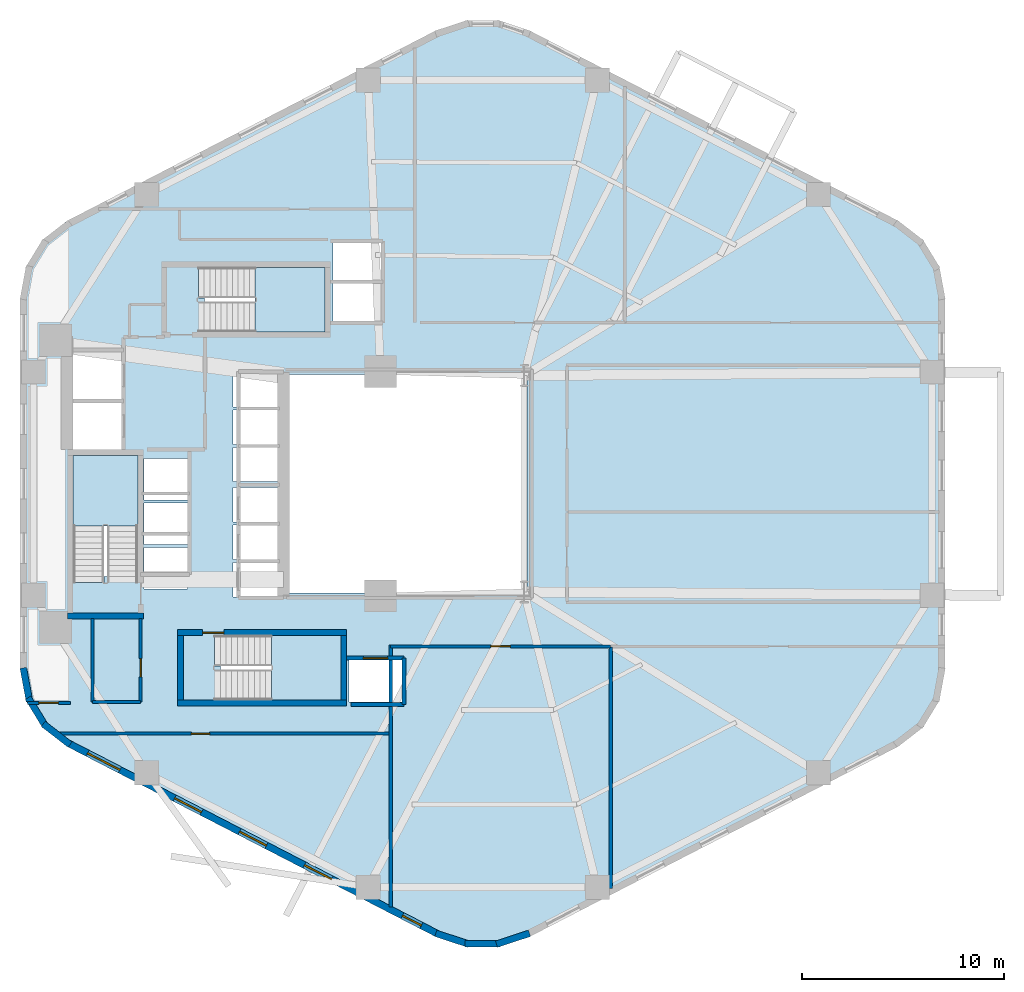
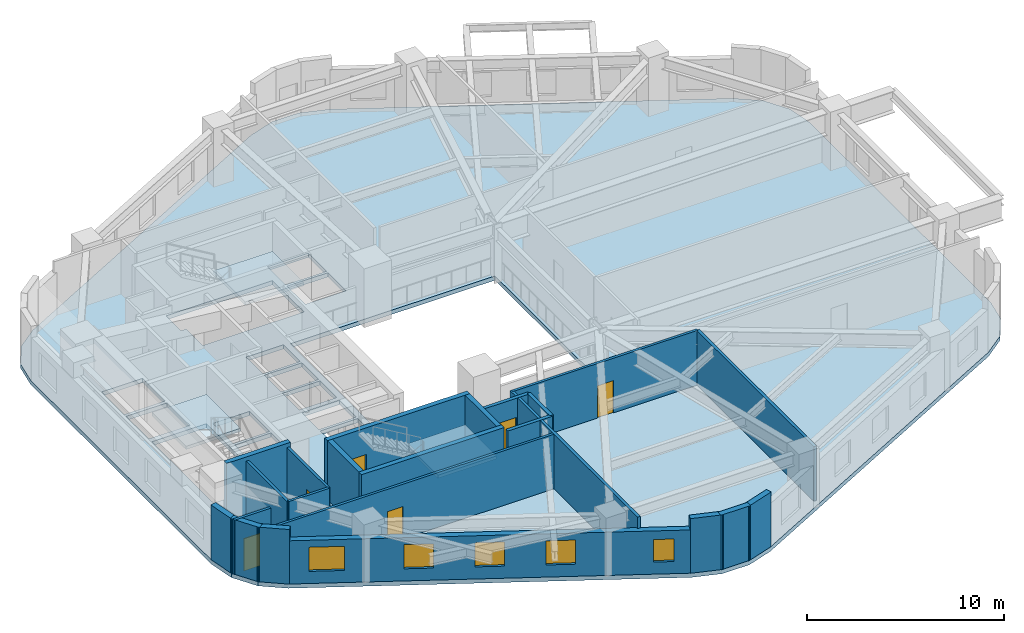
# One storey, part 2 of 6: 23 walls, 6 doors, 5 windows, 4 slabs, 11 openings, 3 elements without a shape of their own.
"""IFC4 building model written with IfcOpenShell, lengths in metres."""

from ifc_helpers import new_model, si_unit, direction, frame, frame_2d, origin, place, context, subcontext, project, spatial, polyline, rectangle, outline, extrude, material, layer, layer_set, type_object, element, fill, aggregate, save


model = new_model("IFC4")

# Units and contexts
model_context = context("Model", 3, precision=1e-05, world=origin(), true_north=direction((0.0, 1.0)))
body_context = subcontext(model_context, "Body", "Model", "MODEL_VIEW")
ifc_project = project(units=[si_unit("LENGTHUNIT", "METRE"), si_unit("AREAUNIT", "SQUARE_METRE"), si_unit("VOLUMEUNIT", "CUBIC_METRE"), si_unit("PLANEANGLEUNIT", "RADIAN"), si_unit("MASSUNIT", "GRAM", prefix="KILO"), si_unit("THERMODYNAMICTEMPERATUREUNIT", "KELVIN"), si_unit("POWERUNIT", "WATT")], contexts=[model_context])

# Site, building, storey
site_placement = place(None, origin())
site = spatial("IfcSite", under=ifc_project, at=site_placement, CompositionType="ELEMENT")
building_placement = place(site_placement, origin())
building = spatial("IfcBuilding", under=site, at=building_placement, Name="Skarre Station Tower", CompositionType="ELEMENT")
storey_placement = place(building_placement, frame((0.0, 0.0, 34.300048828125)))
storey = spatial("IfcBuildingStorey", under=building, at=storey_placement, Name="L08", CompositionType="ELEMENT", Elevation=34.300048828125)

# Stair, slab
ifc_material_1 = material(Name="Concrete C40/50", Category="concrete")
stair_type_1 = type_object("IfcStairType", Name="Reinforced Concrete Exit Stair ST-1", PredefinedType="HALF_TURN_STAIR", material=ifc_material_1)
stair_1_placement = place(storey_placement, origin())
stair_1 = element("IfcStair", 1, at=stair_1_placement, inside=storey, type_object=stair_type_1, Name="L08 Core Exit Stair ST-1", PredefinedType="HALF_TURN_STAIR")
ifc_layer_1 = layer(ifc_material_1, 0.219970703125, Name="Concrete C40/50")
ifc_layer_set_1 = layer_set([ifc_layer_1], Name="Concrete C40/50")
slab_type_1 = type_object("IfcSlabType", Name="Reinforced Concrete Stair & Ramp Landing 220", PredefinedType="LANDING", material=ifc_layer_set_1)
slab_1_placement = place(storey_placement, frame((0.0, 0.0, 1.625)))
slab_1 = element("IfcSlab", 2, at=slab_1_placement, type_object=slab_type_1, Name="ST-1 landing 1", PredefinedType="LANDING", context=body_context, shape_type="SweptSolid", body=[
    extrude(outline(polyline([(20.35009765625, 21.919921875), (20.35009765625, 25.39990234375), (17.14990234375, 25.39990234375), (17.14990234375, 21.919921875), (20.35009765625, 21.919921875)])), origin(), (0.0, 0.0, 1.0), 0.199951171875),
])
aggregate(stair_1, [slab_1])

stair_type_2 = type_object("IfcStairType", Name="Reinforced Concrete Exit Stair ST-2", PredefinedType="HALF_TURN_STAIR", material=ifc_material_1)
stair_2_placement = place(storey_placement, origin())
stair_2 = element("IfcStair", 3, at=stair_2_placement, inside=storey, type_object=stair_type_2, Name="L08 Core Exit Stair ST-2", PredefinedType="HALF_TURN_STAIR")
slab_2_placement = place(storey_placement, frame((0.0, 0.0, 1.625)))
slab_2 = element("IfcSlab", 4, at=slab_2_placement, type_object=slab_type_1, Name="ST-2 landing 1", PredefinedType="LANDING", context=body_context, shape_type="SweptSolid", body=[
    extrude(outline(polyline([(26.949951171875, 13.300048828125), (30.39990234375, 13.300048828125), (30.39990234375, 16.5), (26.949951171875, 16.5), (26.949951171875, 13.300048828125)])), origin(), (0.0, 0.0, 1.0), 0.199951171875),
])
aggregate(stair_2, [slab_2])

stair_type_3 = type_object("IfcStairType", Name="Reinforced Concrete Exit Stair ST-3", PredefinedType="HALF_TURN_STAIR", material=ifc_material_1)
stair_3_placement = place(storey_placement, origin())
stair_3 = element("IfcStair", 5, at=stair_3_placement, inside=storey, type_object=stair_type_3, Name="L08 Core Exit Stair ST-3", PredefinedType="HALF_TURN_STAIR")
slab_3_placement = place(storey_placement, frame((0.0, 0.0, 1.625)))
slab_3 = element("IfcSlab", 6, at=slab_3_placement, type_object=slab_type_1, Name="ST-3 landing 1", PredefinedType="LANDING", context=body_context, shape_type="SweptSolid", body=[
    extrude(outline(polyline([(26.14990234375, 31.5), (29.60009765625, 31.5), (29.60009765625, 34.699951171875), (26.14990234375, 34.699951171875), (26.14990234375, 31.5)])), origin(), (0.0, 0.0, 1.0), 0.199951171875),
])
aggregate(stair_3, [slab_3])

# Slab
ifc_material_2 = material(Name="Concrete C50/60", Category="concrete")
ifc_layer_2 = layer(ifc_material_2, 0.260009765625, Name="Concrete C50/60")
ifc_layer_set_2 = layer_set([ifc_layer_2], Name="Concrete C50/60")
slab_type_2 = type_object("IfcSlabType", Name="Tower Typical Composite Floor Slab 260", PredefinedType="FLOOR", material=ifc_layer_set_2)
slab_4_placement = place(storey_placement, frame((0.0, 0.0, -0.260009765625)))
element("IfcSlab", 7, at=slab_4_placement, inside=storey, type_object=slab_type_2, Name="L08 Zone 1 Structural Floor Slab", PredefinedType="FLOOR", context=body_context, shape_type="SweptSolid", body=[
    extrude(outline(polyline([(60.262939453125, 33.201904296875), (59.98193359375, 34.72412109375), (59.177001953125, 36.044921875), (57.9541015625, 36.991943359375), (39.708984375, 46.407958984375), (38.196044921875, 46.906005859375), (36.60400390625, 46.906005859375), (35.091064453125, 46.407958984375), (16.845947265625, 36.991943359375), (15.623046875, 36.044921875), (14.818115234375, 34.72412109375), (14.537109375, 33.201904296875), (14.537109375, 14.798095703125), (14.818115234375, 13.27587890625), (15.623046875, 11.955078125), (16.845947265625, 11.008056640625), (35.091064453125, 1.592041015625), (36.60400390625, 1.093994140625), (38.196044921875, 1.093994140625), (39.708984375, 1.592041015625), (57.9541015625, 11.008056640625), (59.177001953125, 11.955078125), (59.98193359375, 13.27587890625), (60.262939453125, 14.798095703125), (60.262939453125, 33.201904296875)]), holes=[polyline([(18.669921875, 19.419921875), (18.669921875, 19.123046875), (17.14990234375, 19.123046875), (17.14990234375, 25.39990234375), (20.35009765625, 25.39990234375), (20.35009765625, 19.419921875), (18.669921875, 19.419921875)]), polyline([(24.449951171875, 14.97998046875), (24.153076171875, 14.97998046875), (24.153076171875, 16.5), (30.39990234375, 16.5), (30.39990234375, 13.300048828125), (24.449951171875, 13.300048828125), (24.449951171875, 14.97998046875)]), polyline([(23.64990234375, 33.179931640625), (23.35302734375, 33.179931640625), (23.35302734375, 34.699951171875), (29.60009765625, 34.699951171875), (29.60009765625, 31.5), (23.64990234375, 31.5), (23.64990234375, 33.179931640625)]), polyline([(17.14990234375, 28.0), (19.550048828125, 28.0), (19.550048828125, 25.699951171875), (17.14990234375, 25.699951171875), (17.14990234375, 28.0)]), polyline([(17.14990234375, 30.5), (19.550048828125, 30.5), (19.550048828125, 28.199951171875), (17.14990234375, 28.199951171875), (17.14990234375, 30.5)]), polyline([(30.800048828125, 15.300048828125), (33.39990234375, 15.300048828125), (33.39990234375, 13.199951171875), (30.800048828125, 13.199951171875), (30.800048828125, 15.300048828125)]), polyline([(25.050048828125, 20.10009765625), (27.25, 20.10009765625), (27.25, 18.39990234375), (25.050048828125, 18.39990234375), (25.050048828125, 20.10009765625)]), polyline([(25.050048828125, 21.949951171875), (27.25, 21.949951171875), (27.25, 20.25), (25.050048828125, 20.25), (25.050048828125, 21.949951171875)]), polyline([(25.050048828125, 23.800048828125), (27.25, 23.800048828125), (27.25, 22.10009765625), (25.050048828125, 22.10009765625), (25.050048828125, 23.800048828125)]), polyline([(25.050048828125, 25.800048828125), (27.25, 25.800048828125), (27.25, 24.10009765625), (25.050048828125, 24.10009765625), (25.050048828125, 25.800048828125)]), polyline([(25.050048828125, 27.64990234375), (27.25, 27.64990234375), (27.25, 25.949951171875), (25.050048828125, 25.949951171875), (25.050048828125, 27.64990234375)]), polyline([(25.050048828125, 29.5), (27.25, 29.5), (27.25, 27.800048828125), (25.050048828125, 27.800048828125), (25.050048828125, 29.5)]), polyline([(20.64990234375, 20.85009765625), (22.800048828125, 20.85009765625), (22.800048828125, 18.800048828125), (20.64990234375, 18.800048828125), (20.64990234375, 20.85009765625)]), polyline([(20.64990234375, 23.050048828125), (22.800048828125, 23.050048828125), (22.800048828125, 21.0), (20.64990234375, 21.0), (20.64990234375, 23.050048828125)]), polyline([(20.64990234375, 25.25), (22.800048828125, 25.25), (22.800048828125, 23.199951171875), (20.64990234375, 23.199951171875), (20.64990234375, 25.25)]), polyline([(30.0, 33.89990234375), (32.39990234375, 33.89990234375), (32.39990234375, 32.050048828125), (30.0, 32.050048828125), (30.0, 33.89990234375)]), polyline([(30.0, 35.89990234375), (32.39990234375, 35.89990234375), (32.39990234375, 34.050048828125), (30.0, 34.050048828125), (30.0, 35.89990234375)]), polyline([(27.60009765625, 29.39990234375), (39.60009765625, 29.39990234375), (39.60009765625, 18.60009765625), (27.60009765625, 18.60009765625), (27.60009765625, 29.39990234375)])]), origin(), (0.0, 0.0, 1.0), 0.260009765625),
])

# Walls
ifc_material_3 = material(Name="Acoustic Steel-Stud Gypsum Partition", Category="steel")
ifc_layer_3 = layer(ifc_material_3, 0.14990234375, Name="Acoustic Steel-Stud Gypsum Partition")
ifc_layer_set_3 = layer_set([ifc_layer_3], Name="Acoustic Steel-Stud Gypsum Partition")
wall_type_1 = type_object("IfcWallType", Name="Fire-Rated Corridor Acoustic Partition 150", PredefinedType="PARTITIONING", material=ifc_layer_set_3)
wall_1_placement = place(storey_placement, frame((18.10009765625, 17.340087890625, 0.0), z_axis=(0.0, 0.0, 1.0), x_axis=(0.0, -1.0, 0.0)))
element("IfcWall", 8, at=wall_1_placement, inside=storey, type_object=wall_type_1, Name="L08 Interior Partition WL-PT-L08-CSVC-W", PredefinedType="PARTITIONING", context=body_context, shape_type="SweptSolid", body=[
    extrude(rectangle(XDim=4.14013671875, YDim=0.14990234375, at=frame_2d((2.070068359375, 0.0))), origin(), (0.0, 0.0, 1.0), 3.389892578125),
])
wall_2_placement = place(storey_placement, frame((18.10009765625, 13.199951171875, 0.0), z_axis=(0.0, 0.0, 1.0), x_axis=(1.0, 0.0, 0.0)))
element("IfcWall", 9, at=wall_2_placement, inside=storey, type_object=wall_type_1, Name="L08 Interior Partition WL-PT-L08-CSVC-S", PredefinedType="PARTITIONING", context=body_context, shape_type="SweptSolid", body=[
    extrude(rectangle(XDim=2.389892578125, YDim=0.14990234375, at=frame_2d((1.19482421875, 0.0))), origin(), (0.0, 0.0, 1.0), 3.389892578125),
])

# Wall, opening, door
wall_3_placement = place(storey_placement, frame((20.489990234375, 13.199951171875, 0.0), z_axis=(0.0, 0.0, 1.0), x_axis=(0.0, 1.0, 0.0)))
wall_3 = element("IfcWall", 10, at=wall_3_placement, inside=storey, type_object=wall_type_1, Name="L08 Interior Partition WL-PT-L08-CSVC-E", PredefinedType="PARTITIONING", context=body_context, shape_type="SweptSolid", body=[
    extrude(rectangle(XDim=4.14013671875, YDim=0.14990234375, at=frame_2d((2.070068359375, 0.0))), origin(), (0.0, 0.0, 1.0), 3.389892578125),
])
opening_1_placement = place(wall_3_placement, frame((1.25, 0.0, 0.0)))
opening_1 = element("IfcOpeningElement", 11, at=opening_1_placement, cuts=wall_3, Name="Opening DR-SVC90", PredefinedType="OPENING", context=body_context, shape_type="SweptSolid", body=[
    extrude(rectangle(XDim=0.89990234375, YDim=2.0, at=frame_2d((0.449951171875, 1.0))), frame((0.0, 0.0849609375, 0.0), z_axis=(0.0, -1.0, 0.0), x_axis=(1.0, 0.0, 0.0)), (0.0, 0.0, 1.0), 0.169921875),
])
ifc_material_4 = material(Name="Powder-Coated Hollow-Metal Acoustic Fire Leaf", Category="steel")
door_type_1 = type_object("IfcDoorType", Name="Service & Riser Fire Door FD60 900x2100", OperationType="SINGLE_SWING_LEFT", PredefinedType="DOOR", material=ifc_material_4)
door_1_placement = place(opening_1_placement, origin())
door_1 = element("IfcDoor", 12, at=door_1_placement, inside=storey, type_object=door_type_1, Name="L08 Core Pantry Door", OperationType="SINGLE_SWING_LEFT", OverallHeight=2.0, OverallWidth=0.89990234375, PredefinedType="DOOR", context=body_context, shape_type="SweptSolid", body=[
    extrude(rectangle(XDim=0.89990234375, YDim=2.0, at=frame_2d((0.449951171875, 1.0))), frame((0.0, 0.02490234375, 0.0), z_axis=(0.0, -1.0, 0.0), x_axis=(1.0, 0.0, 0.0)), (0.0, 0.0, 1.0), 0.050048828125),
])
fill(opening_1, door_1)

wall_4_placement = place(storey_placement, frame((16.487060546875, 11.639892578125, 0.0), z_axis=(0.0, 0.0, 1.0), x_axis=(1.0, 0.0, 0.0)))
wall_4 = element("IfcWall", 13, at=wall_4_placement, inside=storey, type_object=wall_type_1, Name="L08 Interior Partition WL-PT-L08-SWP-N", PredefinedType="PARTITIONING", context=body_context, shape_type="SweptSolid", body=[
    extrude(rectangle(XDim=16.363037109375, YDim=0.14990234375, at=frame_2d((8.181640625, 0.0))), origin(), (0.0, 0.0, 1.0), 3.389892578125),
])
opening_2_placement = place(wall_4_placement, frame((6.512939453125, 0.0, 0.0)))
opening_2 = element("IfcOpeningElement", 14, at=opening_2_placement, cuts=wall_4, Name="Opening DR-SVC90", PredefinedType="OPENING", context=body_context, shape_type="SweptSolid", body=[
    extrude(rectangle(XDim=0.89990234375, YDim=2.0, at=frame_2d((0.449951171875, 1.0))), frame((0.0, 0.0849609375, 0.0), z_axis=(0.0, -1.0, 0.0), x_axis=(1.0, 0.0, 0.0)), (0.0, 0.0, 1.0), 0.169921875),
])
door_2_placement = place(opening_2_placement, origin())
door_2 = element("IfcDoor", 15, at=door_2_placement, inside=storey, type_object=door_type_1, Name="L08 Floor Public Toilets Door", OperationType="SINGLE_SWING_LEFT", OverallHeight=2.0, OverallWidth=0.89990234375, PredefinedType="DOOR", context=body_context, shape_type="SweptSolid", body=[
    extrude(rectangle(XDim=0.89990234375, YDim=2.0, at=frame_2d((0.449951171875, 1.0))), frame((0.0, 0.02490234375, 0.0), z_axis=(0.0, -1.0, 0.0), x_axis=(1.0, 0.0, 0.0)), (0.0, 0.0, 1.0), 0.050048828125),
])
fill(opening_2, door_2)

wall_5_placement = place(storey_placement, frame((17.02001953125, 13.159912109375, 0.0), z_axis=(0.0, 0.0, 1.0), x_axis=(-1.0, 0.0, 0.0)))
wall_5 = element("IfcWall", 16, at=wall_5_placement, inside=storey, type_object=wall_type_1, Name="L08 Interior Partition WL-PT-L08-WW1-CW", PredefinedType="PARTITIONING", context=body_context, shape_type="SweptSolid", body=[
    extrude(rectangle(XDim=2.1201171875, YDim=0.14990234375, at=frame_2d((1.06005859375, 0.0))), origin(), (0.0, 0.0, 1.0), 3.389892578125),
])
opening_3_placement = place(wall_5_placement, frame((0.596923828125, 0.0, 0.0)))
opening_3 = element("IfcOpeningElement", 17, at=opening_3_placement, cuts=wall_5, Name="Opening DR-FD60", PredefinedType="OPENING", context=body_context, shape_type="SweptSolid", body=[
    extrude(rectangle(XDim=0.9599609375, YDim=2.0, at=frame_2d((0.47998046875, 1.0))), frame((0.0, 0.0849609375, 0.0), z_axis=(0.0, -1.0, 0.0), x_axis=(1.0, 0.0, 0.0)), (0.0, 0.0, 1.0), 0.169921875),
])
ifc_material_5 = material(Name="Nordic White-Oak Veneer Solid-Core Fire Leaf", Category="wood")
door_type_2 = type_object("IfcDoorType", Name="Corridor Suite Entry Fire Door FD60 960x2150", OperationType="SINGLE_SWING_LEFT", PredefinedType="DOOR", material=ifc_material_5)
door_3_placement = place(opening_3_placement, origin())
door_3 = element("IfcDoor", 18, at=door_3_placement, inside=storey, type_object=door_type_2, Name="L08 WW1 Entry Door", OperationType="SINGLE_SWING_LEFT", OverallHeight=2.0, OverallWidth=0.9599609375, PredefinedType="DOOR", context=body_context, shape_type="SweptSolid", body=[
    extrude(rectangle(XDim=0.9599609375, YDim=2.0, at=frame_2d((0.47998046875, 1.0))), frame((0.0, 0.02490234375, 0.0), z_axis=(0.0, -1.0, 0.0), x_axis=(1.0, 0.0, 0.0)), (0.0, 0.0, 1.0), 0.050048828125),
])
fill(opening_3, door_3)

wall_6_placement = place(storey_placement, frame((32.85009765625, 15.9599609375, 0.0), z_axis=(0.0, 0.0, 1.0), x_axis=(1.0, 0.0, 0.0)))
wall_6 = element("IfcWall", 19, at=wall_6_placement, inside=storey, type_object=wall_type_1, Name="L08 Interior Partition WL-PT-L08-SW1-CW", PredefinedType="PARTITIONING", context=body_context, shape_type="SweptSolid", body=[
    extrude(rectangle(XDim=10.868896484375, YDim=0.14990234375, at=frame_2d((5.4345703125, 0.0))), origin(), (0.0, 0.0, 1.0), 3.389892578125),
])
opening_4_placement = place(wall_6_placement, frame((4.955078125, 0.0, 0.0)))
opening_4 = element("IfcOpeningElement", 20, at=opening_4_placement, cuts=wall_6, Name="Opening DR-FD60", PredefinedType="OPENING", context=body_context, shape_type="SweptSolid", body=[
    extrude(rectangle(XDim=0.9599609375, YDim=2.0, at=frame_2d((0.47998046875, 1.0))), frame((0.0, 0.0849609375, 0.0), z_axis=(0.0, -1.0, 0.0), x_axis=(1.0, 0.0, 0.0)), (0.0, 0.0, 1.0), 0.169921875),
])
door_4_placement = place(opening_4_placement, origin())
door_4 = element("IfcDoor", 21, at=door_4_placement, inside=storey, type_object=door_type_2, Name="L08 SW1 Entry Door", OperationType="SINGLE_SWING_LEFT", OverallHeight=2.0, OverallWidth=0.9599609375, PredefinedType="DOOR", context=body_context, shape_type="SweptSolid", body=[
    extrude(rectangle(XDim=0.9599609375, YDim=2.0, at=frame_2d((0.47998046875, 1.0))), frame((0.0, 0.02490234375, 0.0), z_axis=(0.0, -1.0, 0.0), x_axis=(1.0, 0.0, 0.0)), (0.0, 0.0, 1.0), 0.050048828125),
])
fill(opening_4, door_4)

# Wall, openings, windows
ifc_material_6 = material(Name="Precast concrete C45/55", Category="concrete")
ifc_layer_4 = layer(ifc_material_6, 0.340087890625, Name="Precast concrete C45/55")
ifc_layer_set_4 = layer_set([ifc_layer_4], Name="Precast concrete C45/55")
wall_type_2 = type_object("IfcWallType", Name="Nordic Honed Precast Facet Wall 340", PredefinedType="STANDARD", material=ifc_layer_set_4)
wall_7_placement = place(storey_placement, frame((35.1689453125, 1.742919921875, 0.0), z_axis=(0.0, 0.0, 1.0), x_axis=(-0.888634413993, 0.458616264721, 0.0)))
wall_7 = element("IfcWall", 22, at=wall_7_placement, inside=storey, type_object=wall_type_2, Name="L08 Facet 3 Nordic Precast Masonry Wall", PredefinedType="STANDARD", context=body_context, shape_type="SweptSolid", body=[
    extrude(rectangle(XDim=20.53125, YDim=0.340087890625, at=frame_2d((10.265625, 0.0))), origin(), (0.0, 0.0, 1.0), 2.683837890625),
])
opening_5_placement = place(wall_7_placement, frame((0.902099609375, 0.0, 0.75)))
opening_5 = element("IfcOpeningElement", 23, at=opening_5_placement, cuts=wall_7, Name="Opening WN-SLT", PredefinedType="OPENING", context=body_context, shape_type="SweptSolid", body=[
    extrude(rectangle(XDim=1.050048828125, YDim=1.39990234375, at=frame_2d((0.52490234375, 0.699951171875))), frame((0.0, 0.179931640625, 0.0), z_axis=(0.0, -1.0, 0.0), x_axis=(1.0, 0.0, 0.0)), (0.0, 0.0, 1.0), 0.360107421875),
])
opening_6_placement = place(wall_7_placement, frame((5.903076171875, 0.0, 0.75)))
opening_6 = element("IfcOpeningElement", 24, at=opening_6_placement, cuts=wall_7, Name="Opening WN-Z1B", PredefinedType="OPENING", context=body_context, shape_type="SweptSolid", body=[
    extrude(rectangle(XDim=1.5, YDim=1.5, at=frame_2d((0.75, 0.75))), frame((0.0, 0.179931640625, 0.0), z_axis=(0.0, -1.0, 0.0), x_axis=(1.0, 0.0, 0.0)), (0.0, 0.0, 1.0), 0.360107421875),
])
opening_7_placement = place(wall_7_placement, frame((9.51611328125, 0.0, 0.75)))
opening_7 = element("IfcOpeningElement", 25, at=opening_7_placement, cuts=wall_7, Name="Opening WN-Z1B", PredefinedType="OPENING", context=body_context, shape_type="SweptSolid", body=[
    extrude(rectangle(XDim=1.5, YDim=1.5, at=frame_2d((0.75, 0.75))), frame((0.0, 0.179931640625, 0.0), z_axis=(0.0, -1.0, 0.0), x_axis=(1.0, 0.0, 0.0)), (0.0, 0.0, 1.0), 0.360107421875),
])
opening_8_placement = place(wall_7_placement, frame((13.12890625, 0.0, 0.75)))
opening_8 = element("IfcOpeningElement", 26, at=opening_8_placement, cuts=wall_7, Name="Opening WN-Z1B", PredefinedType="OPENING", context=body_context, shape_type="SweptSolid", body=[
    extrude(rectangle(XDim=1.5, YDim=1.5, at=frame_2d((0.75, 0.75))), frame((0.0, 0.179931640625, 0.0), z_axis=(0.0, -1.0, 0.0), x_axis=(1.0, 0.0, 0.0)), (0.0, 0.0, 1.0), 0.360107421875),
])
opening_9_placement = place(wall_7_placement, frame((17.673095703125, 0.0, 0.75)))
opening_9 = element("IfcOpeningElement", 27, at=opening_9_placement, cuts=wall_7, Name="Opening WN-Z1A", PredefinedType="OPENING", context=body_context, shape_type="SweptSolid", body=[
    extrude(rectangle(XDim=1.800048828125, YDim=1.5, at=frame_2d((0.89990234375, 0.75))), frame((0.0, 0.179931640625, 0.0), z_axis=(0.0, -1.0, 0.0), x_axis=(1.0, 0.0, 0.0)), (0.0, 0.0, 1.0), 0.360107421875),
])
ifc_material_7 = material(Name="Low-Iron Triple Glazing with Bronze Anodized Frame", Category="glass")
window_type_1 = type_object("IfcWindowType", Name="Nordic Corner Slot Window 1050x1400", PartitioningType="SINGLE_PANEL", PredefinedType="WINDOW", material=ifc_material_7)
window_1_placement = place(opening_5_placement, origin())
window_1 = element("IfcWindow", 28, at=window_1_placement, inside=storey, type_object=window_type_1, Name="L08 Facade Window WL-FAC-L08-F3-1", OverallHeight=1.39990234375, OverallWidth=1.050048828125, PartitioningType="SINGLE_PANEL", PredefinedType="WINDOW", context=body_context, shape_type="SweptSolid", body=[
    extrude(rectangle(XDim=1.050048828125, YDim=1.39990234375, at=frame_2d((0.52490234375, 0.699951171875))), frame((0.0, 0.030029296875, 0.0), z_axis=(0.0, -1.0, 0.0), x_axis=(1.0, 0.0, 0.0)), (0.0, 0.0, 1.0), 0.06005859375),
])
fill(opening_5, window_1)
window_type_2 = type_object("IfcWindowType", Name="Nordic Punched Triple-Glazed Window 1500x1500", PartitioningType="SINGLE_PANEL", PredefinedType="WINDOW", material=ifc_material_7)
window_2_placement = place(opening_6_placement, origin())
window_2 = element("IfcWindow", 29, at=window_2_placement, inside=storey, type_object=window_type_2, Name="L08 Facade Window WL-FAC-L08-F3-2", OverallHeight=1.5, OverallWidth=1.5, PartitioningType="SINGLE_PANEL", PredefinedType="WINDOW", context=body_context, shape_type="SweptSolid", body=[
    extrude(rectangle(XDim=1.5, YDim=1.5, at=frame_2d((0.75, 0.75))), frame((0.0, 0.030029296875, 0.0), z_axis=(0.0, -1.0, 0.0), x_axis=(1.0, 0.0, 0.0)), (0.0, 0.0, 1.0), 0.06005859375),
])
fill(opening_6, window_2)
window_3_placement = place(opening_7_placement, origin())
window_3 = element("IfcWindow", 30, at=window_3_placement, inside=storey, type_object=window_type_2, Name="L08 Facade Window WL-FAC-L08-F3-3", OverallHeight=1.5, OverallWidth=1.5, PartitioningType="SINGLE_PANEL", PredefinedType="WINDOW", context=body_context, shape_type="SweptSolid", body=[
    extrude(rectangle(XDim=1.5, YDim=1.5, at=frame_2d((0.75, 0.75))), frame((0.0, 0.030029296875, 0.0), z_axis=(0.0, -1.0, 0.0), x_axis=(1.0, 0.0, 0.0)), (0.0, 0.0, 1.0), 0.06005859375),
])
fill(opening_7, window_3)
window_4_placement = place(opening_8_placement, origin())
window_4 = element("IfcWindow", 31, at=window_4_placement, inside=storey, type_object=window_type_2, Name="L08 Facade Window WL-FAC-L08-F3-4", OverallHeight=1.5, OverallWidth=1.5, PartitioningType="SINGLE_PANEL", PredefinedType="WINDOW", context=body_context, shape_type="SweptSolid", body=[
    extrude(rectangle(XDim=1.5, YDim=1.5, at=frame_2d((0.75, 0.75))), frame((0.0, 0.030029296875, 0.0), z_axis=(0.0, -1.0, 0.0), x_axis=(1.0, 0.0, 0.0)), (0.0, 0.0, 1.0), 0.06005859375),
])
fill(opening_8, window_4)
window_type_3 = type_object("IfcWindowType", Name="Nordic Punched Triple-Glazed Window 1800x1500", PartitioningType="SINGLE_PANEL", PredefinedType="WINDOW", material=ifc_material_7)
window_5_placement = place(opening_9_placement, origin())
window_5 = element("IfcWindow", 32, at=window_5_placement, inside=storey, type_object=window_type_3, Name="L08 Facade Window WL-FAC-L08-F3-5", OverallHeight=1.5, OverallWidth=1.800048828125, PartitioningType="SINGLE_PANEL", PredefinedType="WINDOW", context=body_context, shape_type="SweptSolid", body=[
    extrude(rectangle(XDim=1.800048828125, YDim=1.5, at=frame_2d((0.89990234375, 0.75))), frame((0.0, 0.030029296875, 0.0), z_axis=(0.0, -1.0, 0.0), x_axis=(1.0, 0.0, 0.0)), (0.0, 0.0, 1.0), 0.06005859375),
])
fill(opening_9, window_5)

# Walls
ifc_layer_5 = layer(ifc_material_6, 0.330078125, Name="Precast concrete C45/55")
ifc_layer_set_5 = layer_set([ifc_layer_5], Name="Precast concrete C45/55")
wall_type_3 = type_object("IfcWallType", Name="Nordic Rounded Corner Precast Wall 330", PredefinedType="STANDARD", material=ifc_layer_set_5)
wall_8_placement = place(storey_placement, frame((16.998046875, 11.09912109375, 0.0), z_axis=(0.0, 0.0, 1.0), x_axis=(-0.790691856293, 0.61221433207, 0.0)))
element("IfcWall", 33, at=wall_8_placement, inside=storey, type_object=wall_type_3, Name="L08 Rounded Corner Precast Wall F3-1", PredefinedType="STANDARD", context=body_context, shape_type="SweptSolid", body=[
    extrude(rectangle(XDim=1.67578125, YDim=0.330078125, at=frame_2d((0.837890625, 0.0))), origin(), (0.0, 0.0, 1.0), 3.389892578125),
])
wall_9_placement = place(storey_placement, frame((15.798095703125, 11.985107421875, 0.0), z_axis=(0.0, 0.0, 1.0), x_axis=(-0.520584129191, 0.853810379671, 0.0)))
element("IfcWall", 34, at=wall_9_placement, inside=storey, type_object=wall_type_3, Name="L08 Rounded Corner Precast Wall F3-2", PredefinedType="STANDARD", context=body_context, shape_type="SweptSolid", body=[
    extrude(rectangle(XDim=1.677001953125, YDim=0.330078125, at=frame_2d((0.83837890625, 0.0))), origin(), (0.0, 0.0, 1.0), 3.389892578125),
])
wall_10_placement = place(storey_placement, frame((14.991943359375, 13.241943359375, 0.0), z_axis=(0.0, 0.0, 1.0), x_axis=(-0.181714143354, 0.983351397063, 0.0)))
element("IfcWall", 35, at=wall_10_placement, inside=storey, type_object=wall_type_3, Name="L08 Rounded Corner Precast Wall F3-3", PredefinedType="STANDARD", context=body_context, shape_type="SweptSolid", body=[
    extrude(rectangle(XDim=1.677978515625, YDim=0.330078125, at=frame_2d((0.8388671875, 0.0))), origin(), (0.0, 0.0, 1.0), 3.389892578125),
])
wall_11_placement = place(storey_placement, frame((39.718994140625, 1.76904296875, 0.0), z_axis=(0.0, 0.0, 1.0), x_axis=(-0.94976901097, -0.312951794691, 0.0)))
element("IfcWall", 36, at=wall_11_placement, inside=storey, type_object=wall_type_3, Name="L08 Rounded Corner Precast Wall F4-1", PredefinedType="STANDARD", context=body_context, shape_type="SweptSolid", body=[
    extrude(rectangle(XDim=1.722412109375, YDim=0.330078125, at=frame_2d((0.861328125, 0.0))), origin(), (0.0, 0.0, 1.0), 3.389892578125),
])
wall_12_placement = place(storey_placement, frame((38.260986328125, 1.259033203125, 0.0), z_axis=(0.0, 0.0, 1.0), x_axis=(-1.0, 0.0, 0.0)))
element("IfcWall", 37, at=wall_12_placement, inside=storey, type_object=wall_type_3, Name="L08 Rounded Corner Precast Wall F4-2", PredefinedType="STANDARD", context=body_context, shape_type="SweptSolid", body=[
    extrude(rectangle(XDim=1.721923828125, YDim=0.330078125, at=frame_2d((0.86083984375, 0.0))), origin(), (0.0, 0.0, 1.0), 3.389892578125),
])
wall_13_placement = place(storey_placement, frame((36.717041015625, 1.22998046875, 0.0), z_axis=(0.0, 0.0, 1.0), x_axis=(-0.94976901097, 0.312951794691, 0.0)))
element("IfcWall", 38, at=wall_13_placement, inside=storey, type_object=wall_type_3, Name="L08 Rounded Corner Precast Wall F4-3", PredefinedType="STANDARD", context=body_context, shape_type="SweptSolid", body=[
    extrude(rectangle(XDim=1.722412109375, YDim=0.330078125, at=frame_2d((0.861328125, 0.0))), origin(), (0.0, 0.0, 1.0), 3.389892578125),
])
ifc_layer_6 = layer(ifc_material_2, 0.280029296875, Name="Concrete C50/60")
ifc_layer_set_6 = layer_set([ifc_layer_6], Name="Concrete C50/60")
wall_type_4 = type_object("IfcWallType", Name="RC Core Shear Wall 280", PredefinedType="SHEAR", material=ifc_layer_set_6)
wall_14_placement = place(storey_placement, frame((16.8701171875, 17.4599609375, 0.0), z_axis=(0.0, 0.0, 1.0), x_axis=(1.0, 0.0, 0.0)))
element("IfcWall", 39, at=wall_14_placement, inside=storey, type_object=wall_type_4, Name="L08 Stair ST-1 South Shear Wall", PredefinedType="SHEAR", context=body_context, shape_type="SweptSolid", body=[
    extrude(rectangle(XDim=3.759765625, YDim=0.280029296875, at=frame_2d((1.8798828125, 0.0))), origin(), (0.0, 0.0, 1.0), 3.64990234375),
])
wall_15_placement = place(storey_placement, frame((22.320068359375, 13.159912109375, 0.0), z_axis=(0.0, 0.0, 1.0), x_axis=(1.0, 0.0, 0.0)))
element("IfcWall", 40, at=wall_15_placement, inside=storey, type_object=wall_type_4, Name="L08 Stair ST-2 South Shear Wall", PredefinedType="SHEAR", context=body_context, shape_type="SweptSolid", body=[
    extrude(rectangle(XDim=8.35986328125, YDim=0.280029296875, at=frame_2d((4.179931640625, 0.0))), origin(), (0.0, 0.0, 1.0), 3.64990234375),
])

# Wall, opening, door
wall_16_placement = place(storey_placement, frame((30.679931640625, 16.639892578125, 0.0), z_axis=(0.0, 0.0, 1.0), x_axis=(-1.0, 0.0, 0.0)))
wall_16 = element("IfcWall", 41, at=wall_16_placement, inside=storey, type_object=wall_type_4, Name="L08 Stair ST-2 North Shear Wall", PredefinedType="SHEAR", context=body_context, shape_type="SweptSolid", body=[
    extrude(rectangle(XDim=8.35986328125, YDim=0.280029296875, at=frame_2d((4.179931640625, 0.0))), origin(), (0.0, 0.0, 1.0), 3.64990234375),
])
opening_10_placement = place(wall_16_placement, frame((6.080078125, 0.0, 0.0)))
opening_10 = element("IfcOpeningElement", 42, at=opening_10_placement, cuts=wall_16, Name="Opening DR-FD90", PredefinedType="OPENING", context=body_context, shape_type="SweptSolid", body=[
    extrude(rectangle(XDim=1.050048828125, YDim=2.0, at=frame_2d((0.52490234375, 1.0))), frame((0.0, 0.14990234375, 0.0), z_axis=(0.0, -1.0, 0.0), x_axis=(1.0, 0.0, 0.0)), (0.0, 0.0, 1.0), 0.300048828125),
])
ifc_material_8 = material(Name="Fire-Rated Insulated Steel Frame & Timber Core Leaf", Category="steel")
door_type_3 = type_object("IfcDoorType", Name="Stair & FSAE Lobby Fire Door FD90 1050x2150", OperationType="SINGLE_SWING_RIGHT", PredefinedType="DOOR", material=ifc_material_8)
door_5_placement = place(opening_10_placement, origin())
door_5 = element("IfcDoor", 43, at=door_5_placement, inside=storey, type_object=door_type_3, Name="L08 Stair ST-2 Exit Door", OperationType="SINGLE_SWING_RIGHT", OverallHeight=2.0, OverallWidth=1.050048828125, PredefinedType="DOOR", context=body_context, shape_type="SweptSolid", body=[
    extrude(rectangle(XDim=1.050048828125, YDim=2.0, at=frame_2d((0.52490234375, 1.0))), frame((0.0, 0.02490234375, 0.0), z_axis=(0.0, -1.0, 0.0), x_axis=(1.0, 0.0, 0.0)), (0.0, 0.0, 1.0), 0.050048828125),
])
fill(opening_10, door_5)

# Walls
for number, where, z_axis, x_axis, name in (
    (44, (22.4599609375, 16.5, 0.0), (0.0, 0.0, 1.0), (0.0, -1.0, 0.0), "L08 Stair ST-2 West Shear Wall"),
    (45, (30.5400390625, 13.300048828125, 0.0), (0.0, 0.0, 1.0), (0.0, 1.0, 0.0), "L08 Stair ST-2 East Shear Wall"),
):
    element("IfcWall", number, at=place(storey_placement, frame(where, z_axis=z_axis, x_axis=x_axis)), inside=storey, type_object=wall_type_4, Name=name, PredefinedType="SHEAR", context=body_context, shape_type="SweptSolid", body=[
        extrude(rectangle(XDim=3.199951171875, YDim=0.280029296875, at=frame_2d((1.60009765625, 0.0))), origin(), (0.0, 0.0, 1.0), 3.64990234375),
    ])

# Wall, opening, door
ifc_material_9 = material(Name="Gypsum Concrete Shaft Assembly C30/37", Category="concrete")
ifc_layer_7 = layer(ifc_material_9, 0.199951171875, Name="Gypsum Concrete Shaft Assembly C30/37")
ifc_layer_set_7 = layer_set([ifc_layer_7], Name="Gypsum Concrete Shaft Assembly C30/37")
wall_type_5 = type_object("IfcWallType", Name="Shaft & Core Fire Partition 200", PredefinedType="PARTITIONING", material=ifc_layer_set_7)
wall_17_placement = place(storey_placement, frame((33.5, 15.3798828125, 0.0), z_axis=(0.0, 0.0, 1.0), x_axis=(-1.0, 0.0, 0.0)))
wall_17 = element("IfcWall", 46, at=wall_17_placement, inside=storey, type_object=wall_type_5, Name="L08 Interior Partition WL-PT-L08-SV1-N", PredefinedType="PARTITIONING", context=body_context, shape_type="SweptSolid", body=[
    extrude(rectangle(XDim=2.820068359375, YDim=0.199951171875, at=frame_2d((1.41015625, 0.0))), origin(), (0.0, 0.0, 1.0), 3.389892578125),
])
opening_11_placement = place(wall_17_placement, frame((0.800048828125, 0.0, 0.0)))
opening_11 = element("IfcOpeningElement", 47, at=opening_11_placement, cuts=wall_17, Name="Opening LD-SV1", PredefinedType="OPENING", context=body_context, shape_type="SweptSolid", body=[
    extrude(rectangle(XDim=1.199951171875, YDim=2.199951171875, at=frame_2d((0.60009765625, 1.10009765625))), frame((0.0, 0.10986328125, 0.0), z_axis=(0.0, -1.0, 0.0), x_axis=(1.0, 0.0, 0.0)), (0.0, 0.0, 1.0), 0.219970703125),
])
ifc_material_10 = material(Name="Heavy-Gauge Brushed Stainless Steel Sliding Leaves", Category="steel")
door_type_4 = type_object("IfcDoorType", Name="Service Elevator Wide Sliding Landing Door 1200x2200", OperationType="SLIDING_TO_RIGHT", PredefinedType="DOOR", material=ifc_material_10)
door_6_placement = place(opening_11_placement, origin())
door_6 = element("IfcDoor", 48, at=door_6_placement, inside=storey, type_object=door_type_4, Name="L08 Service Lift LF-SV1 Landing Door", OperationType="SLIDING_TO_RIGHT", OverallHeight=2.199951171875, OverallWidth=1.199951171875, PredefinedType="DOOR", context=body_context, shape_type="SweptSolid", body=[
    extrude(rectangle(XDim=1.199951171875, YDim=2.199951171875, at=frame_2d((0.60009765625, 1.10009765625))), frame((0.0, 0.02490234375, 0.0), z_axis=(0.0, -1.0, 0.0), x_axis=(1.0, 0.0, 0.0)), (0.0, 0.0, 1.0), 0.050048828125),
])
fill(opening_11, door_6)

# Walls
wall_18_placement = place(storey_placement, frame((33.5, 13.080078125, 0.0), z_axis=(0.0, 0.0, 1.0), x_axis=(0.0, 1.0, 0.0)))
element("IfcWall", 49, at=wall_18_placement, inside=storey, type_object=wall_type_5, Name="L08 Interior Partition WL-PT-L08-SV1-E", PredefinedType="PARTITIONING", context=body_context, shape_type="SweptSolid", body=[
    extrude(rectangle(XDim=2.2998046875, YDim=0.199951171875, at=frame_2d((1.14990234375, 0.0))), origin(), (0.0, 0.0, 1.0), 3.389892578125),
])
wall_19_placement = place(storey_placement, frame((30.87890625, 13.080078125, 0.0), z_axis=(0.0, 0.0, 1.0), x_axis=(1.0, 0.0, 0.0)))
element("IfcWall", 50, at=wall_19_placement, inside=storey, type_object=wall_type_5, Name="L08 Interior Partition WL-PT-L08-SV1-S", PredefinedType="PARTITIONING", context=body_context, shape_type="SweptSolid", body=[
    extrude(rectangle(XDim=2.62109375, YDim=0.199951171875, at=frame_2d((1.310546875, 0.0))), origin(), (0.0, 0.0, 1.0), 3.389892578125),
])
ifc_layer_8 = layer(ifc_material_3, 0.1650390625, Name="Acoustic Steel-Stud Gypsum Partition")
ifc_layer_set_8 = layer_set([ifc_layer_8], Name="Acoustic Steel-Stud Gypsum Partition")
wall_type_6 = type_object("IfcWallType", Name="Suite Demising Acoustic Partition 165", PredefinedType="PARTITIONING", material=ifc_layer_set_8)
wall_20_placement = place(storey_placement, frame((32.85009765625, 3.06396484375, 0.0), z_axis=(0.0, 0.0, 1.0), x_axis=(0.0, 1.0, 0.0)))
element("IfcWall", 51, at=wall_20_placement, inside=storey, type_object=wall_type_6, Name="L08 Interior Partition WL-PT-L08-SWP-E", PredefinedType="PARTITIONING", context=body_context, shape_type="SweptSolid", body=[
    extrude(rectangle(XDim=12.966064453125, YDim=0.1650390625, at=frame_2d((6.48291015625, 0.0))), origin(), (0.0, 0.0, 1.0), 3.389892578125),
])
wall_21_placement = place(storey_placement, frame((43.737060546875, 3.9970703125, 0.0), z_axis=(0.0, 0.0, 1.0), x_axis=(0.0, 1.0, 0.0)))
element("IfcWall", 52, at=wall_21_placement, inside=storey, type_object=wall_type_6, Name="L08 Interior Partition WL-PT-L08-SW-P1", PredefinedType="PARTITIONING", context=body_context, shape_type="SweptSolid", body=[
    extrude(rectangle(XDim=11.932861328125, YDim=0.1650390625, at=frame_2d((5.96630859375, 0.0))), origin(), (0.0, 0.0, 1.0), 3.389892578125),
])

save(model, "model.ifc")
